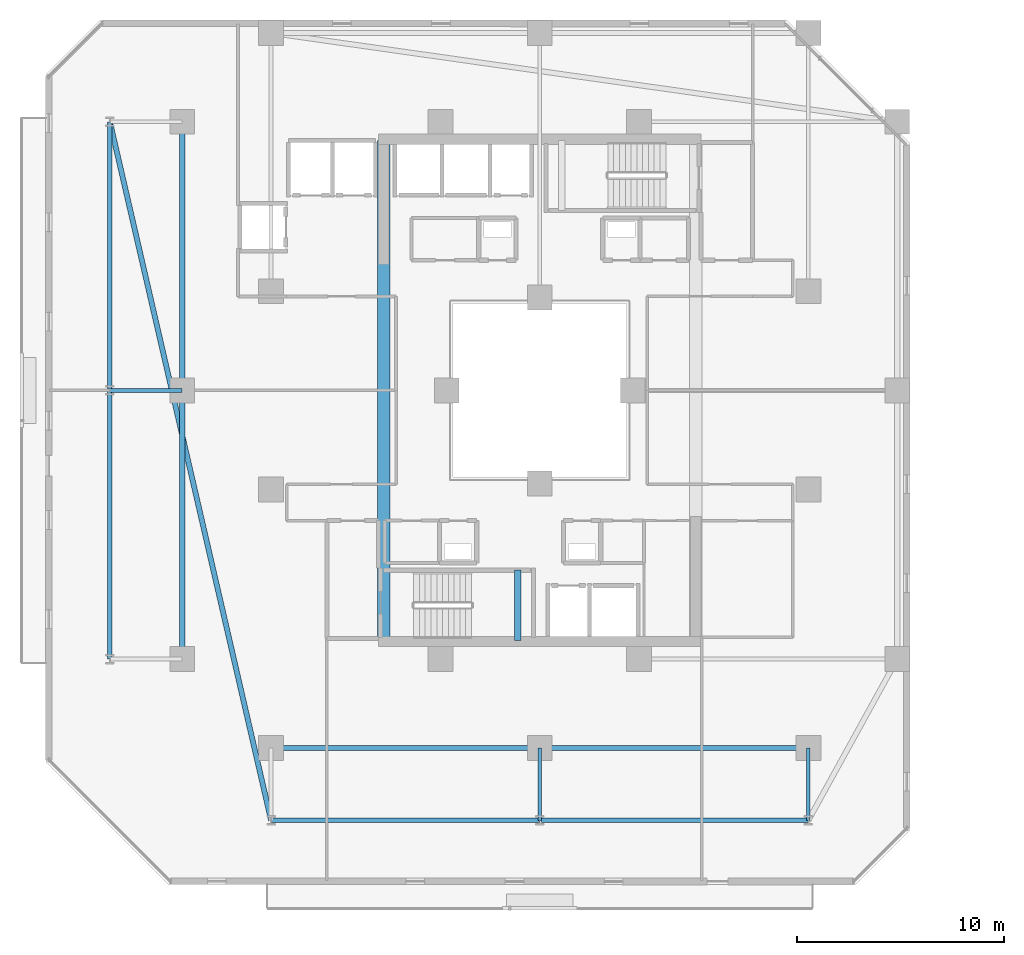
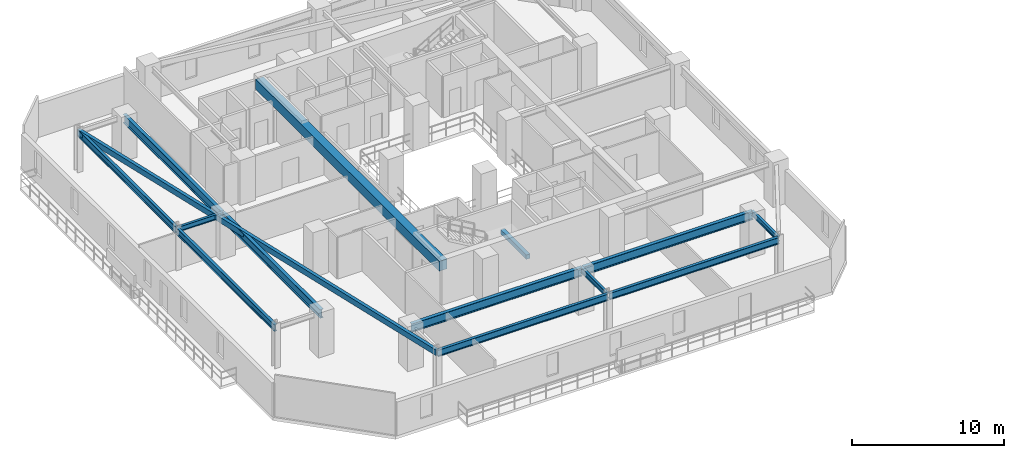
# One storey, part 4 of 32: 14 beams.
"""IFC4 building model written with IfcOpenShell, lengths in metres."""

from ifc_helpers import new_model, si_unit, direction, frame, origin, origin_2d, place, context, subcontext, project, spatial, rectangle, hollow_rectangle, i_section, extrude, material, material_profile, profile_set, type_object, element, save


model = new_model("IFC4")

# Units and contexts
model_context = context("Model", 3, precision=1e-05, world=origin(), true_north=direction((0.0, 1.0)))
body_context = subcontext(model_context, "Body", "Model", "MODEL_VIEW")
ifc_project = project(units=[si_unit("LENGTHUNIT", "METRE"), si_unit("AREAUNIT", "SQUARE_METRE"), si_unit("VOLUMEUNIT", "CUBIC_METRE"), si_unit("PLANEANGLEUNIT", "RADIAN"), si_unit("MASSUNIT", "GRAM", prefix="KILO")], contexts=[model_context])

# Site, building, storey
site_placement = place(None, origin())
site = spatial("IfcSite", under=ifc_project, at=site_placement, CompositionType="ELEMENT")
building_placement = place(site_placement, origin())
building = spatial("IfcBuilding", under=site, at=building_placement, Name="Thornwick Lancets Civic Towers", CompositionType="ELEMENT")
storey_placement = place(building_placement, frame((0.0, 0.0, 123.300048828125)))
storey = spatial("IfcBuildingStorey", under=building, at=storey_placement, Name="L32", CompositionType="ELEMENT", Elevation=123.300048828125)

# Beams
ifc_material_1 = material(Name="Concrete C60/75", Category="concrete")
ifc_material_profile_1 = material_profile(ifc_material_1, rectangle(XDim=0.60009765625, YDim=0.800048828125, at=origin_2d()), Name="RC 600x800")
ifc_profile_set_1 = profile_set([ifc_material_profile_1], Name="Concrete C60/75")
beam_type_1 = type_object("IfcBeamType", Name="BM_COUP_RC800", PredefinedType="BEAM", material=ifc_profile_set_1)
beam_1_placement = place(storey_placement, frame((17.949951171875, 14.89990234375, 2.9599609375), z_axis=(0.0, 1.0, 0.0), x_axis=(-1.0, 0.0, 0.0)))
element("IfcBeam", 1, at=beam_1_placement, inside=storey, type_object=beam_type_1, Name="CB-L32-A2", PredefinedType="BEAM", context=body_context, shape_type="SweptSolid", body=[
    extrude(rectangle(XDim=0.60009765625, YDim=0.800048828125, at=origin_2d()), origin(), (0.0, 0.0, 1.0), 24.2001953125),
])
ifc_material_2 = material(Name="Steel S355JR", Category="steel")
ifc_material_profile_2 = material_profile(ifc_material_2, i_section(OverallWidth=0.2119140625, OverallDepth=0.54443359375, WebThickness=0.0126953125, FlangeThickness=0.021240234375, FilletRadius=0.0126953125, at=origin_2d()), Name="UKB 533x210x122")
ifc_profile_set_2 = profile_set([ifc_material_profile_2], Name="Steel S355JR")
beam_type_2 = type_object("IfcBeamType", Name="BM_EDGE_533_122", PredefinedType="SPANDREL", material=ifc_profile_set_2)
beam_2_placement = place(storey_placement, frame((12.5, 6.199951171875, 3.087646484375), z_axis=(1.0, 0.0, 0.0), x_axis=(0.0, 1.0, 0.0)))
element("IfcBeam", 2, at=beam_2_placement, inside=storey, type_object=beam_type_2, Name="BM-EDGE-L32-A-S0-1", PredefinedType="SPANDREL", context=body_context, shape_type="SweptSolid", body=[
    extrude(i_section(OverallWidth=0.2119140625, OverallDepth=0.54443359375, WebThickness=0.0126953125, FlangeThickness=0.021240234375, FilletRadius=0.0126953125, at=origin_2d()), origin(), (0.0, 0.0, 1.0), 13.0),
])
beam_3_placement = place(storey_placement, frame((25.580078125, 6.199951171875, 3.087646484375), z_axis=(1.0, 0.0, 0.0), x_axis=(0.0, 1.0, 0.0)))
element("IfcBeam", 3, at=beam_3_placement, inside=storey, type_object=beam_type_2, Name="BM-EDGE-L32-A-S0-2", PredefinedType="SPANDREL", context=body_context, shape_type="SweptSolid", body=[
    extrude(i_section(OverallWidth=0.2119140625, OverallDepth=0.54443359375, WebThickness=0.0126953125, FlangeThickness=0.021240234375, FilletRadius=0.0126953125, at=origin_2d()), origin(), (0.0, 0.0, 1.0), 12.919921875),
])
beam_4_placement = place(storey_placement, frame((4.699951171875, 14.0, 3.087646484375), z_axis=(0.0, 1.0, 0.0), x_axis=(-1.0, 0.0, 0.0)))
element("IfcBeam", 4, at=beam_4_placement, inside=storey, type_object=beam_type_2, Name="BM-EDGE-L32-A-S3-1", PredefinedType="SPANDREL", context=body_context, shape_type="SweptSolid", body=[
    extrude(i_section(OverallWidth=0.2119140625, OverallDepth=0.54443359375, WebThickness=0.0126953125, FlangeThickness=0.021240234375, FilletRadius=0.0126953125, at=origin_2d()), origin(), (0.0, 0.0, 1.0), 13.0),
])
beam_5_placement = place(storey_placement, frame((4.699951171875, 27.080078125, 3.087646484375), z_axis=(0.0, 1.0, 0.0), x_axis=(-1.0, 0.0, 0.0)))
element("IfcBeam", 5, at=beam_5_placement, inside=storey, type_object=beam_type_2, Name="BM-EDGE-L32-A-S3-2", PredefinedType="SPANDREL", context=body_context, shape_type="SweptSolid", body=[
    extrude(i_section(OverallWidth=0.2119140625, OverallDepth=0.54443359375, WebThickness=0.0126953125, FlangeThickness=0.021240234375, FilletRadius=0.0126953125, at=origin_2d()), origin(), (0.0, 0.0, 1.0), 12.919921875),
])
ifc_material_profile_3 = material_profile(ifc_material_2, i_section(OverallWidth=0.255859375, OverallDepth=0.69287109375, WebThickness=0.014404296875, FlangeThickness=0.023681640625, FilletRadius=0.01513671875, at=origin_2d()), Name="UKB 686x254x170")
ifc_profile_set_3 = profile_set([ifc_material_profile_3], Name="Steel S355JR")
beam_type_3 = type_object("IfcBeamType", Name="BM_GIRD_686_170", PredefinedType="BEAM", material=ifc_profile_set_3)
beam_6_placement = place(storey_placement, frame((12.5, 9.699951171875, 3.013427734375), z_axis=(1.0, 0.0, 0.0), x_axis=(0.0, 1.0, 0.0)))
element("IfcBeam", 6, at=beam_6_placement, inside=storey, type_object=beam_type_3, Name="BM-SPINE-L32-A-0-1", PredefinedType="BEAM", context=body_context, shape_type="SweptSolid", body=[
    extrude(i_section(OverallWidth=0.255859375, OverallDepth=0.69287109375, WebThickness=0.014404296875, FlangeThickness=0.023681640625, FilletRadius=0.01513671875, at=origin_2d()), origin(), (0.0, 0.0, 1.0), 13.0),
])
beam_7_placement = place(storey_placement, frame((25.580078125, 9.699951171875, 3.013427734375), z_axis=(1.0, 0.0, 0.0), x_axis=(0.0, 1.0, 0.0)))
element("IfcBeam", 7, at=beam_7_placement, inside=storey, type_object=beam_type_3, Name="BM-SPINE-L32-A-1-2", PredefinedType="BEAM", context=body_context, shape_type="SweptSolid", body=[
    extrude(i_section(OverallWidth=0.255859375, OverallDepth=0.69287109375, WebThickness=0.014404296875, FlangeThickness=0.023681640625, FilletRadius=0.01513671875, at=origin_2d()), origin(), (0.0, 0.0, 1.0), 12.919921875),
])
beam_8_placement = place(storey_placement, frame((8.199951171875, 14.0, 3.013427734375), z_axis=(0.0, 1.0, 0.0), x_axis=(-1.0, 0.0, 0.0)))
element("IfcBeam", 8, at=beam_8_placement, inside=storey, type_object=beam_type_3, Name="BM-SPINE-L32-A-9-10", PredefinedType="BEAM", context=body_context, shape_type="SweptSolid", body=[
    extrude(i_section(OverallWidth=0.255859375, OverallDepth=0.69287109375, WebThickness=0.014404296875, FlangeThickness=0.023681640625, FilletRadius=0.01513671875, at=origin_2d()), origin(), (0.0, 0.0, 1.0), 13.0),
])
beam_9_placement = place(storey_placement, frame((8.199951171875, 27.080078125, 3.013427734375), z_axis=(0.0, 1.0, 0.0), x_axis=(-1.0, 0.0, 0.0)))
element("IfcBeam", 9, at=beam_9_placement, inside=storey, type_object=beam_type_3, Name="BM-SPINE-L32-A-10-11", PredefinedType="BEAM", context=body_context, shape_type="SweptSolid", body=[
    extrude(i_section(OverallWidth=0.255859375, OverallDepth=0.69287109375, WebThickness=0.014404296875, FlangeThickness=0.023681640625, FilletRadius=0.01513671875, at=origin_2d()), origin(), (0.0, 0.0, 1.0), 12.919921875),
])
ifc_material_profile_4 = material_profile(ifc_material_2, i_section(OverallWidth=0.179443359375, OverallDepth=0.412841796875, WebThickness=0.009521484375, FlangeThickness=0.01611328125, FilletRadius=0.01025390625, at=origin_2d()), Name="UKB 406x178x74")
ifc_profile_set_4 = profile_set([ifc_material_profile_4], Name="Steel S355JR")
beam_type_4 = type_object("IfcBeamType", Name="BM_JOIST_406_74", PredefinedType="JOIST", material=ifc_profile_set_4)
for number, where, z_axis, x_axis, name in (
    (10, (25.5, 9.699951171875, 3.153564453125), (0.0, -1.0, 0.0), (1.0, 0.0, 0.0), "BM-RAD-L32-A02"),
    (11, (38.5, 9.699951171875, 3.153564453125), (0.0, -1.0, 0.0), (1.0, 0.0, 0.0), "BM-RAD-L32-A03"),
    (12, (8.199951171875, 27.0, 3.153564453125), (-1.0, 0.0, 0.0), (0.0, -1.0, 0.0), "BM-RAD-L32-A11"),
):
    element("IfcBeam", number, at=place(storey_placement, frame(where, z_axis=z_axis, x_axis=x_axis)), inside=storey, type_object=beam_type_4, Name=name, PredefinedType="JOIST", context=body_context, shape_type="SweptSolid", body=[
        extrude(i_section(OverallWidth=0.179443359375, OverallDepth=0.412841796875, WebThickness=0.009521484375, FlangeThickness=0.01611328125, FilletRadius=0.01025390625, at=origin_2d()), origin(), (0.0, 0.0, 1.0), 3.5),
    ])
ifc_material_profile_5 = material_profile(ifc_material_2, hollow_rectangle(XDim=0.25, YDim=0.449951171875, WallThickness=0.01611328125, at=origin_2d()), Name="RHS 450x250x16")
ifc_profile_set_5 = profile_set([ifc_material_profile_5], Name="Steel S355JR")
beam_type_5 = type_object("IfcBeamType", Name="BM_RING_RHS450", PredefinedType="BEAM", material=ifc_profile_set_5)
beam_10_placement = place(storey_placement, frame((4.699951171875, 40.0, 3.135009765625), z_axis=(0.224860534737, -0.974390958454, 0.0), x_axis=(0.974390958454, 0.224860534737, 0.0)))
element("IfcBeam", 13, at=beam_10_placement, inside=storey, type_object=beam_type_5, Name="BM-CHAMF-L32-A-C3", PredefinedType="BEAM", context=body_context, shape_type="SweptSolid", body=[
    extrude(hollow_rectangle(XDim=0.25, YDim=0.449951171875, WallThickness=0.01611328125, at=origin_2d()), origin(), (0.0, 0.0, 1.0), 34.6884765625),
])
ifc_material_3 = material(Name="Concrete C40/50", Category="concrete")
ifc_material_profile_6 = material_profile(ifc_material_3, rectangle(XDim=0.300048828125, YDim=0.35009765625, at=origin_2d()), Name="RC 300x350")
ifc_profile_set_6 = profile_set([ifc_material_profile_6], Name="Concrete C40/50")
beam_type_6 = type_object("IfcBeamType", Name="BM_STAIR_LDG", PredefinedType="BEAM", material=ifc_profile_set_6)
beam_11_placement = place(storey_placement, frame((24.43505859375, 14.89990234375, 1.3779296875), z_axis=(0.0, 1.0, 0.0), x_axis=(-1.0, 0.0, 0.0)))
element("IfcBeam", 14, at=beam_11_placement, inside=storey, type_object=beam_type_6, Name="L32 ST-A1 Landing Support Beam 1", PredefinedType="BEAM", context=body_context, shape_type="SweptSolid", body=[
    extrude(rectangle(XDim=0.300048828125, YDim=0.35009765625, at=origin_2d()), origin(), (0.0, 0.0, 1.0), 3.400146484375),
])

save(model, "model.ifc")
